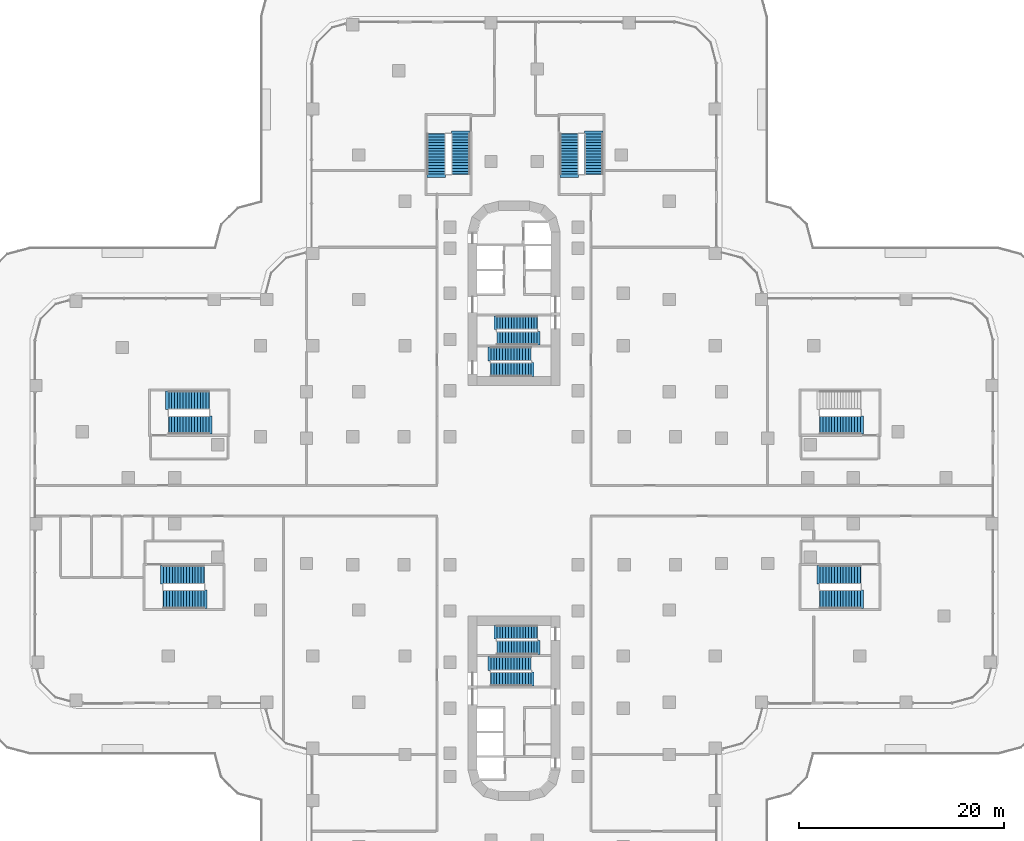
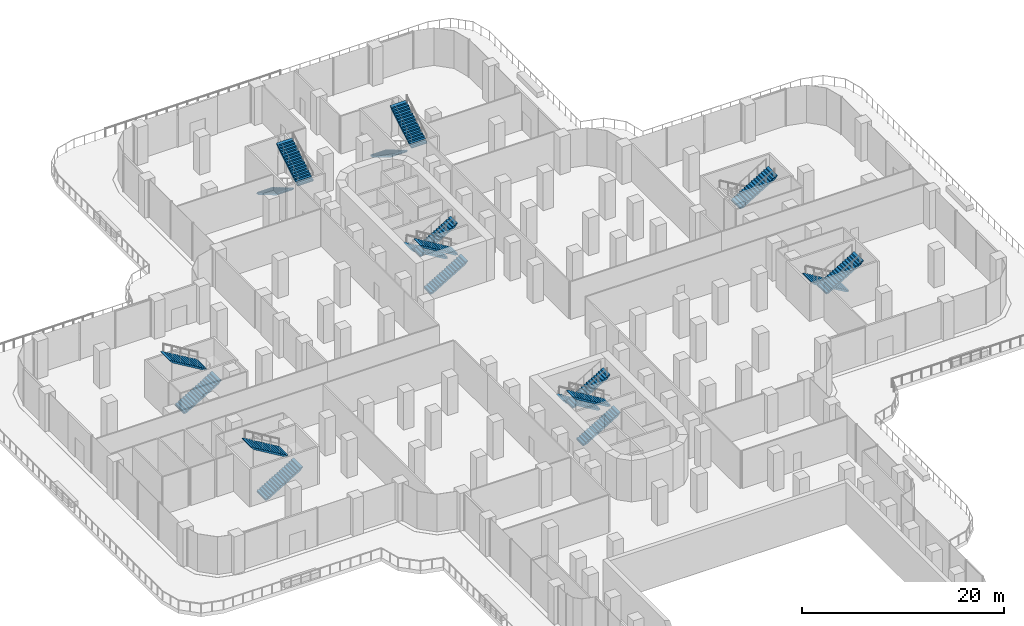
# One storey, part 23 of 29: 19 stair flights, 10 elements without a shape of their own.
"""IFC4 building model written with IfcOpenShell, lengths in metres."""

import ifcopenshell
import ifcopenshell.guid

model = None  # the IFC model being written
_history = None  # IfcOwnerHistory: only IFC2X3 demands one
_inside = {}  # id of a spatial element -> (the spatial element, [elements in it])
_under = {}  # id of a project, library or spatial element -> (it, [spatial elements below it])
_declared = {}  # id of a project -> (the project, [libraries it declares])
_typed = {}  # id of a type object -> (the type object, [elements of that type])
_made_of = {}  # id of a material, layer set ... -> (it, [elements and type objects made of it])


def new_model(schema):
    """Start an empty IFC model of exactly this schema.

    Asked for "IFC4X3", IfcOpenShell would pick the latest addendum, in which some entities
    have other attributes; the version numbers below select the first issue.
    IFC2X3 requires an IfcOwnerHistory on every rooted entity: one is made here for all.
    """
    global model, _history
    if schema == "IFC4X3":
        model = ifcopenshell.file(schema_version=(4, 3, 0, 0))
    else:
        model = ifcopenshell.file(schema=schema)
    _inside.clear()
    _under.clear()
    _declared.clear()
    _typed.clear()
    _made_of.clear()
    _history = None
    if model.schema == "IFC2X3":
        org = make("IfcOrganization", Name="unknown")
        user = make(
            "IfcPersonAndOrganization",
            ThePerson=make("IfcPerson", FamilyName="unknown"),
            TheOrganization=org,
        )
        app = make(
            "IfcApplication",
            ApplicationDeveloper=org,
            Version="unknown",
            ApplicationFullName="unknown",
            ApplicationIdentifier="unknown",
        )
        _history = make(
            "IfcOwnerHistory",
            OwningUser=user,
            OwningApplication=app,
            ChangeAction="ADDED",
            CreationDate=0,
        )
    return model


def make(cls, **values):
    """One entity of the class cls with the attributes given. An attribute that is None is left unset."""
    return model.create_entity(
        cls, **{name: value for name, value in values.items() if value is not None}
    )


def rooted(cls, **values):
    """An entity with a GlobalId (a new one), such as an element, a storey or a relation."""
    return make(cls, GlobalId=ifcopenshell.guid.new(), OwnerHistory=_history, **values)


def si_unit(unit_type, name, prefix=None):
    """IfcSIUnit, for example si_unit("LENGTHUNIT", "METRE", prefix="MILLI")."""
    return make("IfcSIUnit", UnitType=unit_type, Prefix=prefix, Name=name)


def assignment(units):
    """IfcUnitAssignment: the units of a project."""
    return None if units is None else make("IfcUnitAssignment", Units=units)


def point(xyz):
    """IfcCartesianPoint."""
    return None if xyz is None else make("IfcCartesianPoint", Coordinates=xyz)


def direction(xyz):
    """IfcDirection."""
    return None if xyz is None else make("IfcDirection", DirectionRatios=xyz)


def frame(location, z_axis=None, x_axis=None):
    """IfcAxis2Placement3D, a coordinate frame: its origin and axes. An axis left out is left unset."""
    return make(
        "IfcAxis2Placement3D",
        Location=point(location),
        Axis=direction(z_axis),
        RefDirection=direction(x_axis),
    )


def origin():
    """The frame at (0, 0, 0) with its axes left unset."""
    return frame((0.0, 0.0, 0.0))


def place(relative_to, where):
    """IfcLocalPlacement: puts the frame where relative to a parent placement (None: the world)."""
    return make(
        "IfcLocalPlacement", PlacementRelTo=relative_to, RelativePlacement=where
    )


def context(
    kind, dimensions, precision=None, world=None, true_north=None, identifier=None
):
    """IfcGeometricRepresentationContext, for example the 3D "Model" context."""
    return make(
        "IfcGeometricRepresentationContext",
        ContextIdentifier=identifier,
        ContextType=kind,
        CoordinateSpaceDimension=dimensions,
        Precision=precision,
        WorldCoordinateSystem=world,
        TrueNorth=true_north,
    )


def subcontext(parent, identifier, kind, view, scale=None):
    """IfcGeometricRepresentationSubContext, for example "Body" below "Model"."""
    return make(
        "IfcGeometricRepresentationSubContext",
        ContextIdentifier=identifier,
        ContextType=kind,
        ParentContext=parent,
        TargetScale=scale,
        TargetView=view,
    )


def project(units=None, contexts=None):
    """IfcProject with its units and contexts."""
    return rooted(
        "IfcProject",
        Name="project",
        RepresentationContexts=contexts,
        UnitsInContext=assignment(units),
    )


def spatial(cls, under=None, at=None, **own):
    """A site, building, storey or space (cls), placed at a placement, below another one or the project."""
    s = rooted(cls, ObjectPlacement=at, **own)
    if under is not None:
        _under.setdefault(under.id(), (under, []))[1].append(s)
    return s


def polyline(points):
    """IfcPolyline through the points."""
    return make("IfcPolyline", Points=[point(p) for p in points])


def outline(outer, holes=None, kind="AREA"):
    """IfcArbitraryClosedProfileDef: a profile drawn as a closed curve; with holes, ...WithVoids."""
    if holes is None:
        return make("IfcArbitraryClosedProfileDef", ProfileType=kind, OuterCurve=outer)
    return make(
        "IfcArbitraryProfileDefWithVoids",
        ProfileType=kind,
        OuterCurve=outer,
        InnerCurves=holes,
    )


def extrude(swept, where, along, depth):
    """IfcExtrudedAreaSolid: the profile swept, set in the frame where, extruded along a direction by depth."""
    return make(
        "IfcExtrudedAreaSolid",
        SweptArea=swept,
        Position=where,
        ExtrudedDirection=direction(along),
        Depth=depth,
    )


def shape(context_of_items, identifier, shape_type, items):
    """IfcShapeRepresentation: the items that make up one representation, for example the "Body"."""
    return make(
        "IfcShapeRepresentation",
        ContextOfItems=context_of_items,
        RepresentationIdentifier=identifier,
        RepresentationType=shape_type,
        Items=items,
    )


def material(Name=None, Category=None):
    """IfcMaterial."""
    return make("IfcMaterial", Name=Name, Category=Category)


def made_of(thing, what):
    """Note that an element or type object is made of a material, layer set ...; save() writes the relation."""
    if what is not None:
        _made_of.setdefault(what.id(), (what, []))[1].append(thing)
    return thing


def type_object(cls, material=None, **own):
    """A type object (cls), such as IfcWallType, which elements share."""
    return made_of(rooted(cls, **own), material)


def element(
    cls,
    number,
    at=None,
    inside=None,
    cuts=None,
    type_object=None,
    material=None,
    context=None,
    identifier="Body",
    shape_type=None,
    held_by="IfcProductDefinitionShape",
    body=None,
    shapes=None,
    **own,
):
    """One element of the class cls, such as IfcWall. Its Tag is "e" and its number.

    at: its placement. inside: the storey or other place that contains it. cuts: it is an
    opening in that element (IfcRelVoidsElement). A single representation is given by context,
    identifier, shape_type and body (its items); several are given by shapes. held_by: the class
    of the entity that holds the representations. save() writes the other relations.
    """
    e = rooted(cls, Tag="e%d" % number, ObjectPlacement=at, **own)
    if body is not None:
        shapes = [shape(context, identifier, shape_type, body)]
    if shapes is not None:
        e.Representation = make(held_by, Representations=shapes)
    if inside is not None:
        _inside.setdefault(inside.id(), (inside, []))[1].append(e)
    if cuts is not None:
        rooted(
            "IfcRelVoidsElement", RelatingBuildingElement=cuts, RelatedOpeningElement=e
        )
    if type_object is not None:
        _typed.setdefault(type_object.id(), (type_object, []))[1].append(e)
    return made_of(e, material)


def aggregate(whole, parts):
    """IfcRelAggregates: a whole, such as a stair, and the parts it consists of."""
    return rooted("IfcRelAggregates", RelatingObject=whole, RelatedObjects=parts)


def save(model, path):
    """Write the relations noted so far, then the file.

    IfcRelAggregates (storeys below a building ...), IfcRelContainedInSpatialStructure (elements
    in a storey), IfcRelDefinesByType, IfcRelAssociatesMaterial and IfcRelDeclares: one each for
    every whole, place, type object, material and project.
    """
    for whole, parts in _under.values():
        aggregate(whole, parts)
    for where, things in _inside.values():
        rooted(
            "IfcRelContainedInSpatialStructure",
            RelatedElements=things,
            RelatingStructure=where,
        )
    for kind, things in _typed.values():
        rooted("IfcRelDefinesByType", RelatedObjects=things, RelatingType=kind)
    for what, things in _made_of.values():
        rooted("IfcRelAssociatesMaterial", RelatedObjects=things, RelatingMaterial=what)
    for by, libraries in _declared.values():
        rooted("IfcRelDeclares", RelatingContext=by, RelatedDefinitions=libraries)
    model.write(path)


model = new_model("IFC4")

# Units and contexts
model_context = context("Model", 3, precision=1e-05, world=origin(), true_north=direction((0.0, 1.0)))
body_context = subcontext(model_context, "Body", "Model", "MODEL_VIEW")
ifc_project = project(units=[si_unit("LENGTHUNIT", "METRE"), si_unit("AREAUNIT", "SQUARE_METRE"), si_unit("VOLUMEUNIT", "CUBIC_METRE"), si_unit("PLANEANGLEUNIT", "RADIAN"), si_unit("MASSUNIT", "GRAM", prefix="KILO")], contexts=[model_context])

# Site, building, storey
site_placement = place(None, origin())
site = spatial("IfcSite", under=ifc_project, at=site_placement, CompositionType="ELEMENT")
building_placement = place(site_placement, origin())
building = spatial("IfcBuilding", under=site, at=building_placement, Name="Zarbagh Exchange Tower", CompositionType="ELEMENT")
storey_placement = place(building_placement, frame((0.0, 0.0, 12.0)))
storey = spatial("IfcBuildingStorey", under=building, at=storey_placement, Name="L02", CompositionType="ELEMENT", Elevation=12.0)

# Stair, stair flights
ifc_material = material(Name="Concrete C40/50", Category="concrete")
stair_type = type_object("IfcStairType", Name="Exit stair two-flight half-turn", PredefinedType="HALF_TURN_STAIR", material=ifc_material)
stair_1_placement = place(storey_placement, origin())
stair_1 = element("IfcStair", 1, at=stair_1_placement, inside=storey, type_object=stair_type, Name="exit stair ST1", PredefinedType="HALF_TURN_STAIR")
stair_flight_type_1 = type_object("IfcStairFlightType", Name="Stair flight 1350 mm", PredefinedType="STRAIGHT", material=ifc_material)
stair_flight_1_placement = place(storey_placement, frame((2.25, 17.375, 0.0), z_axis=(0.0, 0.0, 1.0), x_axis=(-1.0, 0.0, 0.0)))
stair_flight_1 = element("IfcStairFlight", 2, at=stair_flight_1_placement, type_object=stair_flight_type_1, Name="ST1 flight 1", NumberOfRisers=15, NumberOfTreads=14, PredefinedType="STRAIGHT", RiserHeight=0.166666667, TreadLength=0.28, context=body_context, shape_type="SweptSolid", body=[
    extrude(outline(polyline([(-0.050048828125, -0.050048828125), (-0.050048828125, 0.0), (0.0, 0.0), (0.0, 0.166748046875), (0.280029296875, 0.166748046875), (0.280029296875, 0.333251953125), (0.56005859375, 0.333251953125), (0.56005859375, 0.5), (0.840087890625, 0.5), (0.840087890625, 0.666748046875), (1.1201171875, 0.666748046875), (1.1201171875, 0.833251953125), (1.39990234375, 0.833251953125), (1.39990234375, 1.0), (1.679931640625, 1.0), (1.679931640625, 1.166748046875), (1.9599609375, 1.166748046875), (1.9599609375, 1.333251953125), (2.239990234375, 1.333251953125), (2.239990234375, 1.5), (2.52001953125, 1.5), (2.52001953125, 1.666748046875), (2.800048828125, 1.666748046875), (2.800048828125, 1.833251953125), (3.080078125, 1.833251953125), (3.080078125, 2.0), (3.360107421875, 2.0), (3.360107421875, 2.166748046875), (3.639892578125, 2.166748046875), (3.639892578125, 2.333251953125), (3.919921875, 2.333251953125), (3.919921875, 2.5), (4.219970703125, 2.580078125), (4.219970703125, 2.5), (3.919921875, 2.158935546875), (0.29296875, 0.0), (-0.050048828125, -0.050048828125)])), frame((0.0, 0.675048828125, 0.0), z_axis=(0.0, -1.0, 0.0), x_axis=(1.0, 0.0, 0.0)), (0.0, 0.0, 1.0), 1.35009765625),
])
stair_flight_2_placement = place(storey_placement, frame((-1.669921875, 15.875, 2.5), z_axis=(0.0, 0.0, 1.0), x_axis=(1.0, 0.0, 0.0)))
stair_flight_2 = element("IfcStairFlight", 3, at=stair_flight_2_placement, type_object=stair_flight_type_1, Name="ST1 flight 2", NumberOfRisers=15, NumberOfTreads=14, PredefinedType="STRAIGHT", RiserHeight=0.166666667, TreadLength=0.28, context=body_context, shape_type="SweptSolid", body=[
    extrude(outline(polyline([(-0.050048828125, -0.050048828125), (-0.050048828125, 0.0), (0.0, 0.0), (0.0, 0.166748046875), (0.280029296875, 0.166748046875), (0.280029296875, 0.333251953125), (0.56005859375, 0.333251953125), (0.56005859375, 0.5), (0.840087890625, 0.5), (0.840087890625, 0.666748046875), (1.1201171875, 0.666748046875), (1.1201171875, 0.833251953125), (1.39990234375, 0.833251953125), (1.39990234375, 1.0), (1.679931640625, 1.0), (1.679931640625, 1.166748046875), (1.9599609375, 1.166748046875), (1.9599609375, 1.333251953125), (2.239990234375, 1.333251953125), (2.239990234375, 1.5), (2.52001953125, 1.5), (2.52001953125, 1.666748046875), (2.800048828125, 1.666748046875), (2.800048828125, 1.833251953125), (3.080078125, 1.833251953125), (3.080078125, 2.0), (3.360107421875, 2.0), (3.360107421875, 2.166748046875), (3.639892578125, 2.166748046875), (3.639892578125, 2.333251953125), (3.919921875, 2.333251953125), (3.919921875, 2.5), (4.219970703125, 2.580078125), (4.219970703125, 2.5), (3.919921875, 2.158935546875), (0.29296875, 0.0), (-0.050048828125, -0.050048828125)])), frame((0.0, 0.675048828125, 0.0), z_axis=(0.0, -1.0, 0.0), x_axis=(1.0, 0.0, 0.0)), (0.0, 0.0, 1.0), 1.35009765625),
])
aggregate(stair_1, [stair_flight_1, stair_flight_2])

stair_2_placement = place(storey_placement, origin())
stair_2 = element("IfcStair", 4, at=stair_2_placement, inside=storey, type_object=stair_type, Name="exit stair ST2", PredefinedType="HALF_TURN_STAIR")
stair_flight_3_placement = place(storey_placement, frame((-2.25, 12.824951171875, 0.0), z_axis=(0.0, 0.0, 1.0), x_axis=(1.0, 0.0, 0.0)))
stair_flight_3 = element("IfcStairFlight", 5, at=stair_flight_3_placement, type_object=stair_flight_type_1, Name="ST2 flight 1", NumberOfRisers=15, NumberOfTreads=14, PredefinedType="STRAIGHT", RiserHeight=0.166666667, TreadLength=0.28, context=body_context, shape_type="SweptSolid", body=[
    extrude(outline(polyline([(-0.050048828125, -0.050048828125), (-0.050048828125, 0.0), (0.0, 0.0), (0.0, 0.166748046875), (0.280029296875, 0.166748046875), (0.280029296875, 0.333251953125), (0.56005859375, 0.333251953125), (0.56005859375, 0.5), (0.840087890625, 0.5), (0.840087890625, 0.666748046875), (1.1201171875, 0.666748046875), (1.1201171875, 0.833251953125), (1.39990234375, 0.833251953125), (1.39990234375, 1.0), (1.679931640625, 1.0), (1.679931640625, 1.166748046875), (1.9599609375, 1.166748046875), (1.9599609375, 1.333251953125), (2.239990234375, 1.333251953125), (2.239990234375, 1.5), (2.52001953125, 1.5), (2.52001953125, 1.666748046875), (2.800048828125, 1.666748046875), (2.800048828125, 1.833251953125), (3.080078125, 1.833251953125), (3.080078125, 2.0), (3.360107421875, 2.0), (3.360107421875, 2.166748046875), (3.639892578125, 2.166748046875), (3.639892578125, 2.333251953125), (3.919921875, 2.333251953125), (3.919921875, 2.5), (4.219970703125, 2.580078125), (4.219970703125, 2.5), (3.919921875, 2.158935546875), (0.29296875, 0.0), (-0.050048828125, -0.050048828125)])), frame((0.0, 0.675048828125, 0.0), z_axis=(0.0, -1.0, 0.0), x_axis=(1.0, 0.0, 0.0)), (0.0, 0.0, 1.0), 1.35009765625),
])
stair_flight_4_placement = place(storey_placement, frame((1.669921875, 14.324951171875, 2.5), z_axis=(0.0, 0.0, 1.0), x_axis=(-1.0, 0.0, 0.0)))
stair_flight_4 = element("IfcStairFlight", 6, at=stair_flight_4_placement, type_object=stair_flight_type_1, Name="ST2 flight 2", NumberOfRisers=15, NumberOfTreads=14, PredefinedType="STRAIGHT", RiserHeight=0.166666667, TreadLength=0.28, context=body_context, shape_type="SweptSolid", body=[
    extrude(outline(polyline([(-0.050048828125, -0.050048828125), (-0.050048828125, 0.0), (0.0, 0.0), (0.0, 0.166748046875), (0.280029296875, 0.166748046875), (0.280029296875, 0.333251953125), (0.56005859375, 0.333251953125), (0.56005859375, 0.5), (0.840087890625, 0.5), (0.840087890625, 0.666748046875), (1.1201171875, 0.666748046875), (1.1201171875, 0.833251953125), (1.39990234375, 0.833251953125), (1.39990234375, 1.0), (1.679931640625, 1.0), (1.679931640625, 1.166748046875), (1.9599609375, 1.166748046875), (1.9599609375, 1.333251953125), (2.239990234375, 1.333251953125), (2.239990234375, 1.5), (2.52001953125, 1.5), (2.52001953125, 1.666748046875), (2.800048828125, 1.666748046875), (2.800048828125, 1.833251953125), (3.080078125, 1.833251953125), (3.080078125, 2.0), (3.360107421875, 2.0), (3.360107421875, 2.166748046875), (3.639892578125, 2.166748046875), (3.639892578125, 2.333251953125), (3.919921875, 2.333251953125), (3.919921875, 2.5), (4.219970703125, 2.580078125), (4.219970703125, 2.5), (3.919921875, 2.158935546875), (0.29296875, 0.0), (-0.050048828125, -0.050048828125)])), frame((0.0, 0.675048828125, 0.0), z_axis=(0.0, -1.0, 0.0), x_axis=(1.0, 0.0, 0.0)), (0.0, 0.0, 1.0), 1.35009765625),
])
aggregate(stair_2, [stair_flight_3, stair_flight_4])

stair_3_placement = place(storey_placement, origin())
stair_3 = element("IfcStair", 7, at=stair_3_placement, inside=storey, type_object=stair_type, Name="exit stair ST3", PredefinedType="HALF_TURN_STAIR")
stair_flight_5_placement = place(storey_placement, frame((-2.25, -17.375, 0.0), z_axis=(0.0, 0.0, 1.0), x_axis=(1.0, 0.0, 0.0)))
stair_flight_5 = element("IfcStairFlight", 8, at=stair_flight_5_placement, type_object=stair_flight_type_1, Name="ST3 flight 1", NumberOfRisers=15, NumberOfTreads=14, PredefinedType="STRAIGHT", RiserHeight=0.166666667, TreadLength=0.28, context=body_context, shape_type="SweptSolid", body=[
    extrude(outline(polyline([(-0.050048828125, -0.050048828125), (-0.050048828125, 0.0), (0.0, 0.0), (0.0, 0.166748046875), (0.280029296875, 0.166748046875), (0.280029296875, 0.333251953125), (0.56005859375, 0.333251953125), (0.56005859375, 0.5), (0.840087890625, 0.5), (0.840087890625, 0.666748046875), (1.1201171875, 0.666748046875), (1.1201171875, 0.833251953125), (1.39990234375, 0.833251953125), (1.39990234375, 1.0), (1.679931640625, 1.0), (1.679931640625, 1.166748046875), (1.9599609375, 1.166748046875), (1.9599609375, 1.333251953125), (2.239990234375, 1.333251953125), (2.239990234375, 1.5), (2.52001953125, 1.5), (2.52001953125, 1.666748046875), (2.800048828125, 1.666748046875), (2.800048828125, 1.833251953125), (3.080078125, 1.833251953125), (3.080078125, 2.0), (3.360107421875, 2.0), (3.360107421875, 2.166748046875), (3.639892578125, 2.166748046875), (3.639892578125, 2.333251953125), (3.919921875, 2.333251953125), (3.919921875, 2.5), (4.219970703125, 2.580078125), (4.219970703125, 2.5), (3.919921875, 2.158935546875), (0.29296875, 0.0), (-0.050048828125, -0.050048828125)])), frame((0.0, 0.675048828125, 0.0), z_axis=(0.0, -1.0, 0.0), x_axis=(1.0, 0.0, 0.0)), (0.0, 0.0, 1.0), 1.35009765625),
])
stair_flight_6_placement = place(storey_placement, frame((1.669921875, -15.875, 2.5), z_axis=(0.0, 0.0, 1.0), x_axis=(-1.0, 0.0, 0.0)))
stair_flight_6 = element("IfcStairFlight", 9, at=stair_flight_6_placement, type_object=stair_flight_type_1, Name="ST3 flight 2", NumberOfRisers=15, NumberOfTreads=14, PredefinedType="STRAIGHT", RiserHeight=0.166666667, TreadLength=0.28, context=body_context, shape_type="SweptSolid", body=[
    extrude(outline(polyline([(-0.050048828125, -0.050048828125), (-0.050048828125, 0.0), (0.0, 0.0), (0.0, 0.166748046875), (0.280029296875, 0.166748046875), (0.280029296875, 0.333251953125), (0.56005859375, 0.333251953125), (0.56005859375, 0.5), (0.840087890625, 0.5), (0.840087890625, 0.666748046875), (1.1201171875, 0.666748046875), (1.1201171875, 0.833251953125), (1.39990234375, 0.833251953125), (1.39990234375, 1.0), (1.679931640625, 1.0), (1.679931640625, 1.166748046875), (1.9599609375, 1.166748046875), (1.9599609375, 1.333251953125), (2.239990234375, 1.333251953125), (2.239990234375, 1.5), (2.52001953125, 1.5), (2.52001953125, 1.666748046875), (2.800048828125, 1.666748046875), (2.800048828125, 1.833251953125), (3.080078125, 1.833251953125), (3.080078125, 2.0), (3.360107421875, 2.0), (3.360107421875, 2.166748046875), (3.639892578125, 2.166748046875), (3.639892578125, 2.333251953125), (3.919921875, 2.333251953125), (3.919921875, 2.5), (4.219970703125, 2.580078125), (4.219970703125, 2.5), (3.919921875, 2.158935546875), (0.29296875, 0.0), (-0.050048828125, -0.050048828125)])), frame((0.0, 0.675048828125, 0.0), z_axis=(0.0, -1.0, 0.0), x_axis=(1.0, 0.0, 0.0)), (0.0, 0.0, 1.0), 1.35009765625),
])
aggregate(stair_3, [stair_flight_5, stair_flight_6])

stair_4_placement = place(storey_placement, origin())
stair_4 = element("IfcStair", 10, at=stair_4_placement, inside=storey, type_object=stair_type, Name="exit stair ST4", PredefinedType="HALF_TURN_STAIR")
stair_flight_7_placement = place(storey_placement, frame((2.25, -12.824951171875, 0.0), z_axis=(0.0, 0.0, 1.0), x_axis=(-1.0, 0.0, 0.0)))
stair_flight_7 = element("IfcStairFlight", 11, at=stair_flight_7_placement, type_object=stair_flight_type_1, Name="ST4 flight 1", NumberOfRisers=15, NumberOfTreads=14, PredefinedType="STRAIGHT", RiserHeight=0.166666667, TreadLength=0.28, context=body_context, shape_type="SweptSolid", body=[
    extrude(outline(polyline([(-0.050048828125, -0.050048828125), (-0.050048828125, 0.0), (0.0, 0.0), (0.0, 0.166748046875), (0.280029296875, 0.166748046875), (0.280029296875, 0.333251953125), (0.56005859375, 0.333251953125), (0.56005859375, 0.5), (0.840087890625, 0.5), (0.840087890625, 0.666748046875), (1.1201171875, 0.666748046875), (1.1201171875, 0.833251953125), (1.39990234375, 0.833251953125), (1.39990234375, 1.0), (1.679931640625, 1.0), (1.679931640625, 1.166748046875), (1.9599609375, 1.166748046875), (1.9599609375, 1.333251953125), (2.239990234375, 1.333251953125), (2.239990234375, 1.5), (2.52001953125, 1.5), (2.52001953125, 1.666748046875), (2.800048828125, 1.666748046875), (2.800048828125, 1.833251953125), (3.080078125, 1.833251953125), (3.080078125, 2.0), (3.360107421875, 2.0), (3.360107421875, 2.166748046875), (3.639892578125, 2.166748046875), (3.639892578125, 2.333251953125), (3.919921875, 2.333251953125), (3.919921875, 2.5), (4.219970703125, 2.580078125), (4.219970703125, 2.5), (3.919921875, 2.158935546875), (0.29296875, 0.0), (-0.050048828125, -0.050048828125)])), frame((0.0, 0.675048828125, 0.0), z_axis=(0.0, -1.0, 0.0), x_axis=(1.0, 0.0, 0.0)), (0.0, 0.0, 1.0), 1.35009765625),
])
stair_flight_8_placement = place(storey_placement, frame((-1.669921875, -14.324951171875, 2.5), z_axis=(0.0, 0.0, 1.0), x_axis=(1.0, 0.0, 0.0)))
stair_flight_8 = element("IfcStairFlight", 12, at=stair_flight_8_placement, type_object=stair_flight_type_1, Name="ST4 flight 2", NumberOfRisers=15, NumberOfTreads=14, PredefinedType="STRAIGHT", RiserHeight=0.166666667, TreadLength=0.28, context=body_context, shape_type="SweptSolid", body=[
    extrude(outline(polyline([(-0.050048828125, -0.050048828125), (-0.050048828125, 0.0), (0.0, 0.0), (0.0, 0.166748046875), (0.280029296875, 0.166748046875), (0.280029296875, 0.333251953125), (0.56005859375, 0.333251953125), (0.56005859375, 0.5), (0.840087890625, 0.5), (0.840087890625, 0.666748046875), (1.1201171875, 0.666748046875), (1.1201171875, 0.833251953125), (1.39990234375, 0.833251953125), (1.39990234375, 1.0), (1.679931640625, 1.0), (1.679931640625, 1.166748046875), (1.9599609375, 1.166748046875), (1.9599609375, 1.333251953125), (2.239990234375, 1.333251953125), (2.239990234375, 1.5), (2.52001953125, 1.5), (2.52001953125, 1.666748046875), (2.800048828125, 1.666748046875), (2.800048828125, 1.833251953125), (3.080078125, 1.833251953125), (3.080078125, 2.0), (3.360107421875, 2.0), (3.360107421875, 2.166748046875), (3.639892578125, 2.166748046875), (3.639892578125, 2.333251953125), (3.919921875, 2.333251953125), (3.919921875, 2.5), (4.219970703125, 2.580078125), (4.219970703125, 2.5), (3.919921875, 2.158935546875), (0.29296875, 0.0), (-0.050048828125, -0.050048828125)])), frame((0.0, 0.675048828125, 0.0), z_axis=(0.0, -1.0, 0.0), x_axis=(1.0, 0.0, 0.0)), (0.0, 0.0, 1.0), 1.35009765625),
])
aggregate(stair_4, [stair_flight_7, stair_flight_8])

stair_5_placement = place(storey_placement, origin())
stair_5 = element("IfcStair", 13, at=stair_5_placement, inside=storey, type_object=stair_type, Name="exit stair PS1", PredefinedType="HALF_TURN_STAIR")
stair_flight_type_2 = type_object("IfcStairFlightType", Name="Stair flight 1800 mm", PredefinedType="STRAIGHT", material=ifc_material)
stair_flight_9_placement = place(storey_placement, frame((-7.60009765625, 35.800048828125, 0.0), z_axis=(0.0, 0.0, 1.0), x_axis=(0.0, -1.0, 0.0)))
stair_flight_9 = element("IfcStairFlight", 14, at=stair_flight_9_placement, type_object=stair_flight_type_2, Name="PS1 flight 1", NumberOfRisers=15, NumberOfTreads=14, PredefinedType="STRAIGHT", RiserHeight=0.166666667, TreadLength=0.28, context=body_context, shape_type="SweptSolid", body=[
    extrude(outline(polyline([(-0.050048828125, -0.050048828125), (-0.050048828125, 0.0), (0.0, 0.0), (0.0, 0.166748046875), (0.280029296875, 0.166748046875), (0.280029296875, 0.333251953125), (0.56005859375, 0.333251953125), (0.56005859375, 0.5), (0.840087890625, 0.5), (0.840087890625, 0.666748046875), (1.1201171875, 0.666748046875), (1.1201171875, 0.833251953125), (1.39990234375, 0.833251953125), (1.39990234375, 1.0), (1.679931640625, 1.0), (1.679931640625, 1.166748046875), (1.9599609375, 1.166748046875), (1.9599609375, 1.333251953125), (2.239990234375, 1.333251953125), (2.239990234375, 1.5), (2.52001953125, 1.5), (2.52001953125, 1.666748046875), (2.800048828125, 1.666748046875), (2.800048828125, 1.833251953125), (3.080078125, 1.833251953125), (3.080078125, 2.0), (3.360107421875, 2.0), (3.360107421875, 2.166748046875), (3.639892578125, 2.166748046875), (3.639892578125, 2.333251953125), (3.919921875, 2.333251953125), (3.919921875, 2.5), (4.219970703125, 2.580078125), (4.219970703125, 2.5), (3.919921875, 2.158935546875), (0.29296875, 0.0), (-0.050048828125, -0.050048828125)])), frame((0.0, 0.89990234375, 0.0), z_axis=(0.0, -1.0, 0.0), x_axis=(1.0, 0.0, 0.0)), (0.0, 0.0, 1.0), 1.800048828125),
])
stair_flight_10_placement = place(storey_placement, frame((-5.199951171875, 31.8798828125, 2.5), z_axis=(0.0, 0.0, 1.0), x_axis=(0.0, 1.0, 0.0)))
stair_flight_10 = element("IfcStairFlight", 15, at=stair_flight_10_placement, type_object=stair_flight_type_2, Name="PS1 flight 2", NumberOfRisers=15, NumberOfTreads=14, PredefinedType="STRAIGHT", RiserHeight=0.166666667, TreadLength=0.28, context=body_context, shape_type="SweptSolid", body=[
    extrude(outline(polyline([(-0.050048828125, -0.050048828125), (-0.050048828125, 0.0), (0.0, 0.0), (0.0, 0.166748046875), (0.280029296875, 0.166748046875), (0.280029296875, 0.333251953125), (0.56005859375, 0.333251953125), (0.56005859375, 0.5), (0.840087890625, 0.5), (0.840087890625, 0.666748046875), (1.1201171875, 0.666748046875), (1.1201171875, 0.833251953125), (1.39990234375, 0.833251953125), (1.39990234375, 1.0), (1.679931640625, 1.0), (1.679931640625, 1.166748046875), (1.9599609375, 1.166748046875), (1.9599609375, 1.333251953125), (2.239990234375, 1.333251953125), (2.239990234375, 1.5), (2.52001953125, 1.5), (2.52001953125, 1.666748046875), (2.800048828125, 1.666748046875), (2.800048828125, 1.833251953125), (3.080078125, 1.833251953125), (3.080078125, 2.0), (3.360107421875, 2.0), (3.360107421875, 2.166748046875), (3.639892578125, 2.166748046875), (3.639892578125, 2.333251953125), (3.919921875, 2.333251953125), (3.919921875, 2.5), (4.219970703125, 2.580078125), (4.219970703125, 2.5), (3.919921875, 2.158935546875), (0.29296875, 0.0), (-0.050048828125, -0.050048828125)])), frame((0.0, 0.89990234375, 0.0), z_axis=(0.0, -1.0, 0.0), x_axis=(1.0, 0.0, 0.0)), (0.0, 0.0, 1.0), 1.800048828125),
])
aggregate(stair_5, [stair_flight_9, stair_flight_10])

stair_6_placement = place(storey_placement, origin())
stair_6 = element("IfcStair", 16, at=stair_6_placement, inside=storey, type_object=stair_type, Name="exit stair PS2", PredefinedType="HALF_TURN_STAIR")
stair_flight_11_placement = place(storey_placement, frame((5.39990234375, 35.800048828125, 0.0), z_axis=(0.0, 0.0, 1.0), x_axis=(0.0, -1.0, 0.0)))
stair_flight_11 = element("IfcStairFlight", 17, at=stair_flight_11_placement, type_object=stair_flight_type_2, Name="PS2 flight 1", NumberOfRisers=15, NumberOfTreads=14, PredefinedType="STRAIGHT", RiserHeight=0.166666667, TreadLength=0.28, context=body_context, shape_type="SweptSolid", body=[
    extrude(outline(polyline([(-0.050048828125, -0.050048828125), (-0.050048828125, 0.0), (0.0, 0.0), (0.0, 0.166748046875), (0.280029296875, 0.166748046875), (0.280029296875, 0.333251953125), (0.56005859375, 0.333251953125), (0.56005859375, 0.5), (0.840087890625, 0.5), (0.840087890625, 0.666748046875), (1.1201171875, 0.666748046875), (1.1201171875, 0.833251953125), (1.39990234375, 0.833251953125), (1.39990234375, 1.0), (1.679931640625, 1.0), (1.679931640625, 1.166748046875), (1.9599609375, 1.166748046875), (1.9599609375, 1.333251953125), (2.239990234375, 1.333251953125), (2.239990234375, 1.5), (2.52001953125, 1.5), (2.52001953125, 1.666748046875), (2.800048828125, 1.666748046875), (2.800048828125, 1.833251953125), (3.080078125, 1.833251953125), (3.080078125, 2.0), (3.360107421875, 2.0), (3.360107421875, 2.166748046875), (3.639892578125, 2.166748046875), (3.639892578125, 2.333251953125), (3.919921875, 2.333251953125), (3.919921875, 2.5), (4.219970703125, 2.580078125), (4.219970703125, 2.5), (3.919921875, 2.158935546875), (0.29296875, 0.0), (-0.050048828125, -0.050048828125)])), frame((0.0, 0.89990234375, 0.0), z_axis=(0.0, -1.0, 0.0), x_axis=(1.0, 0.0, 0.0)), (0.0, 0.0, 1.0), 1.800048828125),
])
stair_flight_12_placement = place(storey_placement, frame((7.800048828125, 31.8798828125, 2.5), z_axis=(0.0, 0.0, 1.0), x_axis=(0.0, 1.0, 0.0)))
stair_flight_12 = element("IfcStairFlight", 18, at=stair_flight_12_placement, type_object=stair_flight_type_2, Name="PS2 flight 2", NumberOfRisers=15, NumberOfTreads=14, PredefinedType="STRAIGHT", RiserHeight=0.166666667, TreadLength=0.28, context=body_context, shape_type="SweptSolid", body=[
    extrude(outline(polyline([(-0.050048828125, -0.050048828125), (-0.050048828125, 0.0), (0.0, 0.0), (0.0, 0.166748046875), (0.280029296875, 0.166748046875), (0.280029296875, 0.333251953125), (0.56005859375, 0.333251953125), (0.56005859375, 0.5), (0.840087890625, 0.5), (0.840087890625, 0.666748046875), (1.1201171875, 0.666748046875), (1.1201171875, 0.833251953125), (1.39990234375, 0.833251953125), (1.39990234375, 1.0), (1.679931640625, 1.0), (1.679931640625, 1.166748046875), (1.9599609375, 1.166748046875), (1.9599609375, 1.333251953125), (2.239990234375, 1.333251953125), (2.239990234375, 1.5), (2.52001953125, 1.5), (2.52001953125, 1.666748046875), (2.800048828125, 1.666748046875), (2.800048828125, 1.833251953125), (3.080078125, 1.833251953125), (3.080078125, 2.0), (3.360107421875, 2.0), (3.360107421875, 2.166748046875), (3.639892578125, 2.166748046875), (3.639892578125, 2.333251953125), (3.919921875, 2.333251953125), (3.919921875, 2.5), (4.219970703125, 2.580078125), (4.219970703125, 2.5), (3.919921875, 2.158935546875), (0.29296875, 0.0), (-0.050048828125, -0.050048828125)])), frame((0.0, 0.89990234375, 0.0), z_axis=(0.0, -1.0, 0.0), x_axis=(1.0, 0.0, 0.0)), (0.0, 0.0, 1.0), 1.800048828125),
])
aggregate(stair_6, [stair_flight_11, stair_flight_12])

# Stair, stair flight
stair_7_placement = place(storey_placement, origin())
stair_7 = element("IfcStair", 19, at=stair_7_placement, inside=storey, type_object=stair_type, Name="exit stair PS3", PredefinedType="HALF_TURN_STAIR")
stair_flight_13_placement = place(storey_placement, frame((29.8798828125, 7.39990234375, 2.5), z_axis=(0.0, 0.0, 1.0), x_axis=(1.0, 0.0, 0.0)))
stair_flight_13 = element("IfcStairFlight", 20, at=stair_flight_13_placement, type_object=stair_flight_type_2, Name="PS3 flight 2", NumberOfRisers=15, NumberOfTreads=14, PredefinedType="STRAIGHT", RiserHeight=0.166666667, TreadLength=0.28, context=body_context, shape_type="SweptSolid", body=[
    extrude(outline(polyline([(-0.050048828125, -0.050048828125), (-0.050048828125, 0.0), (0.0, 0.0), (0.0, 0.166748046875), (0.280029296875, 0.166748046875), (0.280029296875, 0.333251953125), (0.56005859375, 0.333251953125), (0.56005859375, 0.5), (0.840087890625, 0.5), (0.840087890625, 0.666748046875), (1.1201171875, 0.666748046875), (1.1201171875, 0.833251953125), (1.39990234375, 0.833251953125), (1.39990234375, 1.0), (1.679931640625, 1.0), (1.679931640625, 1.166748046875), (1.9599609375, 1.166748046875), (1.9599609375, 1.333251953125), (2.239990234375, 1.333251953125), (2.239990234375, 1.5), (2.52001953125, 1.5), (2.52001953125, 1.666748046875), (2.800048828125, 1.666748046875), (2.800048828125, 1.833251953125), (3.080078125, 1.833251953125), (3.080078125, 2.0), (3.360107421875, 2.0), (3.360107421875, 2.166748046875), (3.639892578125, 2.166748046875), (3.639892578125, 2.333251953125), (3.919921875, 2.333251953125), (3.919921875, 2.5), (4.219970703125, 2.580078125), (4.219970703125, 2.5), (3.919921875, 2.158935546875), (0.29296875, 0.0), (-0.050048828125, -0.050048828125)])), frame((0.0, 0.89990234375, 0.0), z_axis=(0.0, -1.0, 0.0), x_axis=(1.0, 0.0, 0.0)), (0.0, 0.0, 1.0), 1.800048828125),
])
aggregate(stair_7, [stair_flight_13])

# Stair, stair flights
stair_8_placement = place(storey_placement, origin())
stair_8 = element("IfcStair", 21, at=stair_8_placement, inside=storey, type_object=stair_type, Name="exit stair PS4", PredefinedType="HALF_TURN_STAIR")
stair_flight_14_placement = place(storey_placement, frame((-34.199951171875, -9.60009765625, 0.0), z_axis=(0.0, 0.0, 1.0), x_axis=(1.0, 0.0, 0.0)))
stair_flight_14 = element("IfcStairFlight", 22, at=stair_flight_14_placement, type_object=stair_flight_type_2, Name="PS4 flight 1", NumberOfRisers=15, NumberOfTreads=14, PredefinedType="STRAIGHT", RiserHeight=0.166666667, TreadLength=0.28, context=body_context, shape_type="SweptSolid", body=[
    extrude(outline(polyline([(-0.050048828125, -0.050048828125), (-0.050048828125, 0.0), (0.0, 0.0), (0.0, 0.166748046875), (0.280029296875, 0.166748046875), (0.280029296875, 0.333251953125), (0.56005859375, 0.333251953125), (0.56005859375, 0.5), (0.840087890625, 0.5), (0.840087890625, 0.666748046875), (1.1201171875, 0.666748046875), (1.1201171875, 0.833251953125), (1.39990234375, 0.833251953125), (1.39990234375, 1.0), (1.679931640625, 1.0), (1.679931640625, 1.166748046875), (1.9599609375, 1.166748046875), (1.9599609375, 1.333251953125), (2.239990234375, 1.333251953125), (2.239990234375, 1.5), (2.52001953125, 1.5), (2.52001953125, 1.666748046875), (2.800048828125, 1.666748046875), (2.800048828125, 1.833251953125), (3.080078125, 1.833251953125), (3.080078125, 2.0), (3.360107421875, 2.0), (3.360107421875, 2.166748046875), (3.639892578125, 2.166748046875), (3.639892578125, 2.333251953125), (3.919921875, 2.333251953125), (3.919921875, 2.5), (4.219970703125, 2.580078125), (4.219970703125, 2.5), (3.919921875, 2.158935546875), (0.29296875, 0.0), (-0.050048828125, -0.050048828125)])), frame((0.0, 0.89990234375, 0.0), z_axis=(0.0, -1.0, 0.0), x_axis=(1.0, 0.0, 0.0)), (0.0, 0.0, 1.0), 1.800048828125),
])
stair_flight_15_placement = place(storey_placement, frame((-30.280029296875, -7.199951171875, 2.5), z_axis=(0.0, 0.0, 1.0), x_axis=(-1.0, 0.0, 0.0)))
stair_flight_15 = element("IfcStairFlight", 23, at=stair_flight_15_placement, type_object=stair_flight_type_2, Name="PS4 flight 2", NumberOfRisers=15, NumberOfTreads=14, PredefinedType="STRAIGHT", RiserHeight=0.166666667, TreadLength=0.28, context=body_context, shape_type="SweptSolid", body=[
    extrude(outline(polyline([(-0.050048828125, -0.050048828125), (-0.050048828125, 0.0), (0.0, 0.0), (0.0, 0.166748046875), (0.280029296875, 0.166748046875), (0.280029296875, 0.333251953125), (0.56005859375, 0.333251953125), (0.56005859375, 0.5), (0.840087890625, 0.5), (0.840087890625, 0.666748046875), (1.1201171875, 0.666748046875), (1.1201171875, 0.833251953125), (1.39990234375, 0.833251953125), (1.39990234375, 1.0), (1.679931640625, 1.0), (1.679931640625, 1.166748046875), (1.9599609375, 1.166748046875), (1.9599609375, 1.333251953125), (2.239990234375, 1.333251953125), (2.239990234375, 1.5), (2.52001953125, 1.5), (2.52001953125, 1.666748046875), (2.800048828125, 1.666748046875), (2.800048828125, 1.833251953125), (3.080078125, 1.833251953125), (3.080078125, 2.0), (3.360107421875, 2.0), (3.360107421875, 2.166748046875), (3.639892578125, 2.166748046875), (3.639892578125, 2.333251953125), (3.919921875, 2.333251953125), (3.919921875, 2.5), (4.219970703125, 2.580078125), (4.219970703125, 2.5), (3.919921875, 2.158935546875), (0.29296875, 0.0), (-0.050048828125, -0.050048828125)])), frame((0.0, 0.89990234375, 0.0), z_axis=(0.0, -1.0, 0.0), x_axis=(1.0, 0.0, 0.0)), (0.0, 0.0, 1.0), 1.800048828125),
])
aggregate(stair_8, [stair_flight_14, stair_flight_15])

stair_9_placement = place(storey_placement, origin())
stair_9 = element("IfcStair", 24, at=stair_9_placement, inside=storey, type_object=stair_type, Name="exit stair PS5", PredefinedType="HALF_TURN_STAIR")
stair_flight_16_placement = place(storey_placement, frame((-33.699951171875, 7.39990234375, 0.0), z_axis=(0.0, 0.0, 1.0), x_axis=(1.0, 0.0, 0.0)))
stair_flight_16 = element("IfcStairFlight", 25, at=stair_flight_16_placement, type_object=stair_flight_type_2, Name="PS5 flight 1", NumberOfRisers=15, NumberOfTreads=14, PredefinedType="STRAIGHT", RiserHeight=0.166666667, TreadLength=0.28, context=body_context, shape_type="SweptSolid", body=[
    extrude(outline(polyline([(-0.050048828125, -0.050048828125), (-0.050048828125, 0.0), (0.0, 0.0), (0.0, 0.166748046875), (0.280029296875, 0.166748046875), (0.280029296875, 0.333251953125), (0.56005859375, 0.333251953125), (0.56005859375, 0.5), (0.840087890625, 0.5), (0.840087890625, 0.666748046875), (1.1201171875, 0.666748046875), (1.1201171875, 0.833251953125), (1.39990234375, 0.833251953125), (1.39990234375, 1.0), (1.679931640625, 1.0), (1.679931640625, 1.166748046875), (1.9599609375, 1.166748046875), (1.9599609375, 1.333251953125), (2.239990234375, 1.333251953125), (2.239990234375, 1.5), (2.52001953125, 1.5), (2.52001953125, 1.666748046875), (2.800048828125, 1.666748046875), (2.800048828125, 1.833251953125), (3.080078125, 1.833251953125), (3.080078125, 2.0), (3.360107421875, 2.0), (3.360107421875, 2.166748046875), (3.639892578125, 2.166748046875), (3.639892578125, 2.333251953125), (3.919921875, 2.333251953125), (3.919921875, 2.5), (4.219970703125, 2.580078125), (4.219970703125, 2.5), (3.919921875, 2.158935546875), (0.29296875, 0.0), (-0.050048828125, -0.050048828125)])), frame((0.0, 0.89990234375, 0.0), z_axis=(0.0, -1.0, 0.0), x_axis=(1.0, 0.0, 0.0)), (0.0, 0.0, 1.0), 1.800048828125),
])
stair_flight_17_placement = place(storey_placement, frame((-29.780029296875, 9.800048828125, 2.5), z_axis=(0.0, 0.0, 1.0), x_axis=(-1.0, 0.0, 0.0)))
stair_flight_17 = element("IfcStairFlight", 26, at=stair_flight_17_placement, type_object=stair_flight_type_2, Name="PS5 flight 2", NumberOfRisers=15, NumberOfTreads=14, PredefinedType="STRAIGHT", RiserHeight=0.166666667, TreadLength=0.28, context=body_context, shape_type="SweptSolid", body=[
    extrude(outline(polyline([(-0.050048828125, -0.050048828125), (-0.050048828125, 0.0), (0.0, 0.0), (0.0, 0.166748046875), (0.280029296875, 0.166748046875), (0.280029296875, 0.333251953125), (0.56005859375, 0.333251953125), (0.56005859375, 0.5), (0.840087890625, 0.5), (0.840087890625, 0.666748046875), (1.1201171875, 0.666748046875), (1.1201171875, 0.833251953125), (1.39990234375, 0.833251953125), (1.39990234375, 1.0), (1.679931640625, 1.0), (1.679931640625, 1.166748046875), (1.9599609375, 1.166748046875), (1.9599609375, 1.333251953125), (2.239990234375, 1.333251953125), (2.239990234375, 1.5), (2.52001953125, 1.5), (2.52001953125, 1.666748046875), (2.800048828125, 1.666748046875), (2.800048828125, 1.833251953125), (3.080078125, 1.833251953125), (3.080078125, 2.0), (3.360107421875, 2.0), (3.360107421875, 2.166748046875), (3.639892578125, 2.166748046875), (3.639892578125, 2.333251953125), (3.919921875, 2.333251953125), (3.919921875, 2.5), (4.219970703125, 2.580078125), (4.219970703125, 2.5), (3.919921875, 2.158935546875), (0.29296875, 0.0), (-0.050048828125, -0.050048828125)])), frame((0.0, 0.89990234375, 0.0), z_axis=(0.0, -1.0, 0.0), x_axis=(1.0, 0.0, 0.0)), (0.0, 0.0, 1.0), 1.800048828125),
])
aggregate(stair_9, [stair_flight_16, stair_flight_17])

stair_10_placement = place(storey_placement, origin())
stair_10 = element("IfcStair", 27, at=stair_10_placement, inside=storey, type_object=stair_type, Name="exit stair PS6", PredefinedType="HALF_TURN_STAIR")
stair_flight_18_placement = place(storey_placement, frame((33.800048828125, -7.199951171875, 0.0), z_axis=(0.0, 0.0, 1.0), x_axis=(-1.0, 0.0, 0.0)))
stair_flight_18 = element("IfcStairFlight", 28, at=stair_flight_18_placement, type_object=stair_flight_type_2, Name="PS6 flight 1", NumberOfRisers=15, NumberOfTreads=14, PredefinedType="STRAIGHT", RiserHeight=0.166666667, TreadLength=0.28, context=body_context, shape_type="SweptSolid", body=[
    extrude(outline(polyline([(-0.050048828125, -0.050048828125), (-0.050048828125, 0.0), (0.0, 0.0), (0.0, 0.166748046875), (0.280029296875, 0.166748046875), (0.280029296875, 0.333251953125), (0.56005859375, 0.333251953125), (0.56005859375, 0.5), (0.840087890625, 0.5), (0.840087890625, 0.666748046875), (1.1201171875, 0.666748046875), (1.1201171875, 0.833251953125), (1.39990234375, 0.833251953125), (1.39990234375, 1.0), (1.679931640625, 1.0), (1.679931640625, 1.166748046875), (1.9599609375, 1.166748046875), (1.9599609375, 1.333251953125), (2.239990234375, 1.333251953125), (2.239990234375, 1.5), (2.52001953125, 1.5), (2.52001953125, 1.666748046875), (2.800048828125, 1.666748046875), (2.800048828125, 1.833251953125), (3.080078125, 1.833251953125), (3.080078125, 2.0), (3.360107421875, 2.0), (3.360107421875, 2.166748046875), (3.639892578125, 2.166748046875), (3.639892578125, 2.333251953125), (3.919921875, 2.333251953125), (3.919921875, 2.5), (4.219970703125, 2.580078125), (4.219970703125, 2.5), (3.919921875, 2.158935546875), (0.29296875, 0.0), (-0.050048828125, -0.050048828125)])), frame((0.0, 0.89990234375, 0.0), z_axis=(0.0, -1.0, 0.0), x_axis=(1.0, 0.0, 0.0)), (0.0, 0.0, 1.0), 1.800048828125),
])
stair_flight_19_placement = place(storey_placement, frame((29.8798828125, -9.60009765625, 2.5), z_axis=(0.0, 0.0, 1.0), x_axis=(1.0, 0.0, 0.0)))
stair_flight_19 = element("IfcStairFlight", 29, at=stair_flight_19_placement, type_object=stair_flight_type_2, Name="PS6 flight 2", NumberOfRisers=15, NumberOfTreads=14, PredefinedType="STRAIGHT", RiserHeight=0.166666667, TreadLength=0.28, context=body_context, shape_type="SweptSolid", body=[
    extrude(outline(polyline([(-0.050048828125, -0.050048828125), (-0.050048828125, 0.0), (0.0, 0.0), (0.0, 0.166748046875), (0.280029296875, 0.166748046875), (0.280029296875, 0.333251953125), (0.56005859375, 0.333251953125), (0.56005859375, 0.5), (0.840087890625, 0.5), (0.840087890625, 0.666748046875), (1.1201171875, 0.666748046875), (1.1201171875, 0.833251953125), (1.39990234375, 0.833251953125), (1.39990234375, 1.0), (1.679931640625, 1.0), (1.679931640625, 1.166748046875), (1.9599609375, 1.166748046875), (1.9599609375, 1.333251953125), (2.239990234375, 1.333251953125), (2.239990234375, 1.5), (2.52001953125, 1.5), (2.52001953125, 1.666748046875), (2.800048828125, 1.666748046875), (2.800048828125, 1.833251953125), (3.080078125, 1.833251953125), (3.080078125, 2.0), (3.360107421875, 2.0), (3.360107421875, 2.166748046875), (3.639892578125, 2.166748046875), (3.639892578125, 2.333251953125), (3.919921875, 2.333251953125), (3.919921875, 2.5), (4.219970703125, 2.580078125), (4.219970703125, 2.5), (3.919921875, 2.158935546875), (0.29296875, 0.0), (-0.050048828125, -0.050048828125)])), frame((0.0, 0.89990234375, 0.0), z_axis=(0.0, -1.0, 0.0), x_axis=(1.0, 0.0, 0.0)), (0.0, 0.0, 1.0), 1.800048828125),
])
aggregate(stair_10, [stair_flight_18, stair_flight_19])

save(model, "model.ifc")
